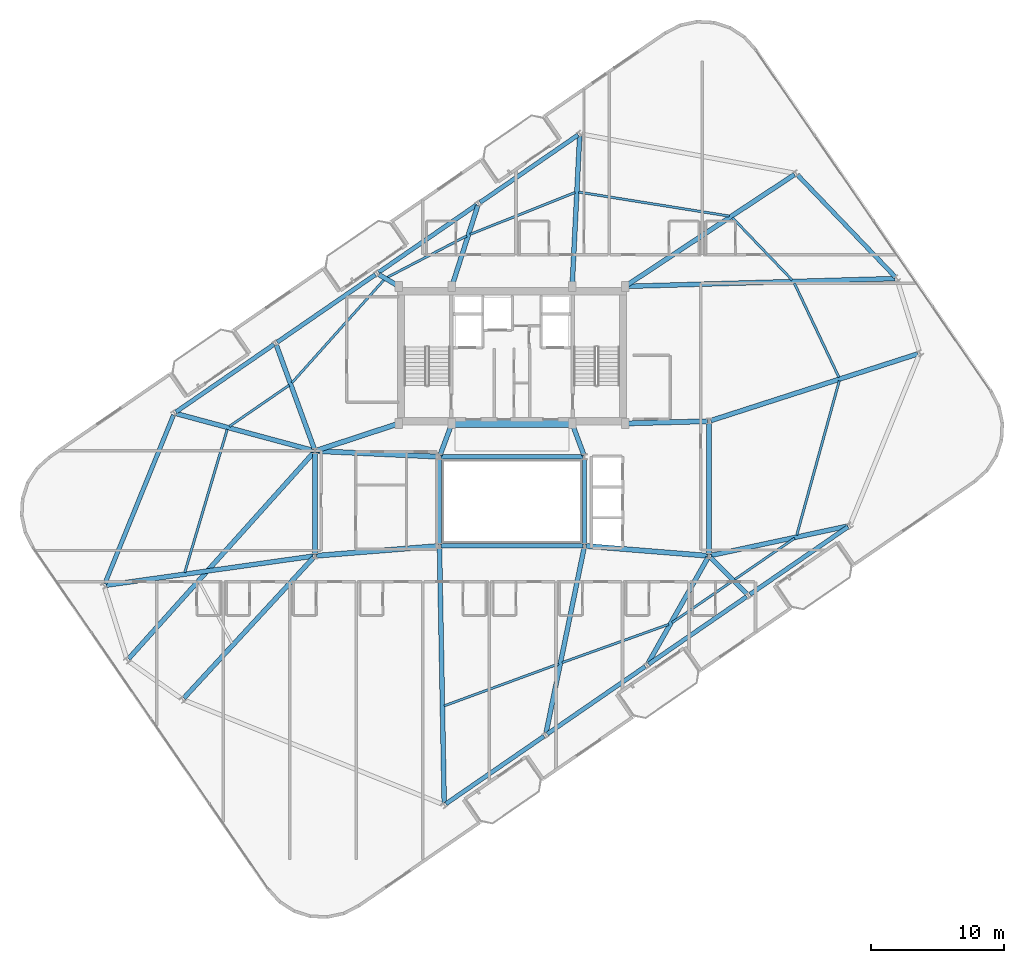
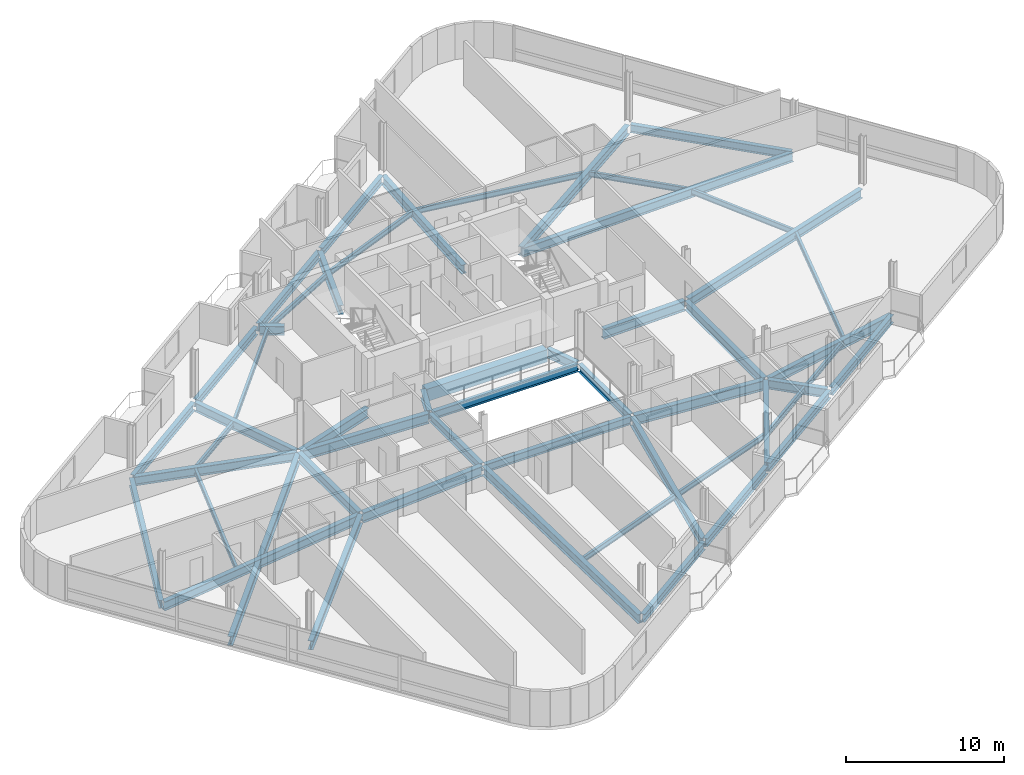
# One storey, part 7 of 22: 53 beams.
"""IFC4 building model written with IfcOpenShell, lengths in metres."""

from ifc_helpers import new_model, si_unit, direction, frame, origin, origin_2d, place, context, subcontext, project, spatial, rectangle, i_section, extrude, material, material_profile, profile_set, type_object, element, save


model = new_model("IFC4")

# Units and contexts
model_context = context("Model", 3, precision=1e-05, world=origin(), true_north=direction((0.0, 1.0)))
body_context = subcontext(model_context, "Body", "Model", "MODEL_VIEW")
ifc_project = project(units=[si_unit("LENGTHUNIT", "METRE"), si_unit("AREAUNIT", "SQUARE_METRE"), si_unit("VOLUMEUNIT", "CUBIC_METRE"), si_unit("PLANEANGLEUNIT", "RADIAN"), si_unit("MASSUNIT", "GRAM", prefix="KILO")], contexts=[model_context])

# Site, building, storey
site_placement = place(None, origin())
site = spatial("IfcSite", under=ifc_project, at=site_placement, CompositionType="ELEMENT")
building_placement = place(site_placement, origin())
building = spatial("IfcBuilding", under=site, at=building_placement, Name="Varnelok Gate Tower", CompositionType="ELEMENT")
storey_placement = place(building_placement, frame((0.0, 0.0, 280.39990234375)))
storey = spatial("IfcBuildingStorey", under=building, at=storey_placement, Name="L72", CompositionType="ELEMENT", Elevation=280.39990234375)

# Beams
ifc_material_1 = material(Name="Structural Steel ASTM A992 Grade 50", Category="steel")
ifc_material_profile_1 = material_profile(ifc_material_1, i_section(OverallWidth=0.180908203125, OverallDepth=0.4169921875, WebThickness=0.010986328125, FlangeThickness=0.018310546875, FilletRadius=0.013916015625, at=origin_2d()), Name="W16X57")
ifc_profile_set_1 = profile_set([ifc_material_profile_1], Name="Structural Steel ASTM A992 Grade 50")
beam_type_1 = type_object("IfcBeamType", Name="BM-JST-W16X57", PredefinedType="JOIST", material=ifc_profile_set_1)
beam_1_placement = place(storey_placement, frame((34.10302734375, 7.52734375, -0.45849609375), z_axis=(0.9387827002, 0.344509857342, 0.0), x_axis=(-0.344509857342, 0.9387827002, 0.0)))
element("IfcBeam", 1, at=beam_1_placement, inside=storey, type_object=beam_type_1, Name="L72 Sector Floor Joist 1", PredefinedType="JOIST", context=body_context, shape_type="SweptSolid", body=[
    extrude(i_section(OverallWidth=0.180908203125, OverallDepth=0.4169921875, WebThickness=0.010986328125, FlangeThickness=0.018310546875, FilletRadius=0.013916015625, at=origin_2d()), origin(), (0.0, 0.0, 1.0), 9.1630859375),
])
beam_2_placement = place(storey_placement, frame((42.96826171875, 10.779541015625, -0.45849609375), z_axis=(0.941287477376, 0.33760610915, 0.0), x_axis=(-0.33760610915, 0.941287477376, 0.0)))
element("IfcBeam", 2, at=beam_2_placement, inside=storey, type_object=beam_type_1, Name="L72 Sector Floor Joist 2", PredefinedType="JOIST", context=body_context, shape_type="SweptSolid", body=[
    extrude(i_section(OverallWidth=0.180908203125, OverallDepth=0.4169921875, WebThickness=0.010986328125, FlangeThickness=0.018310546875, FilletRadius=0.013916015625, at=origin_2d()), origin(), (0.0, 0.0, 1.0), 8.51220703125),
])
beam_3_placement = place(storey_placement, frame((51.227783203125, 13.780029296875, -0.45849609375), z_axis=(0.823533619697, 0.567267465336, 0.0), x_axis=(-0.567267465336, 0.823533619697, 0.0)))
element("IfcBeam", 3, at=beam_3_placement, inside=storey, type_object=beam_type_1, Name="L72 Sector Floor Joist 3", PredefinedType="JOIST", context=body_context, shape_type="SweptSolid", body=[
    extrude(i_section(OverallWidth=0.180908203125, OverallDepth=0.4169921875, WebThickness=0.010986328125, FlangeThickness=0.018310546875, FilletRadius=0.013916015625, at=origin_2d()), origin(), (0.0, 0.0, 1.0), 5.455078125),
])
beam_4_placement = place(storey_placement, frame((55.95068359375, 17.033447265625, -0.45849609375), z_axis=(0.823554527506, 0.567237111114, 0.0), x_axis=(-0.567237111114, 0.823554527506, 0.0)))
element("IfcBeam", 4, at=beam_4_placement, inside=storey, type_object=beam_type_1, Name="L72 Sector Floor Joist 4", PredefinedType="JOIST", context=body_context, shape_type="SweptSolid", body=[
    extrude(i_section(OverallWidth=0.180908203125, OverallDepth=0.4169921875, WebThickness=0.010986328125, FlangeThickness=0.018310546875, FilletRadius=0.013916015625, at=origin_2d()), origin(), (0.0, 0.0, 1.0), 5.454833984375),
])
beam_5_placement = place(storey_placement, frame((60.595703125, 20.34228515625, -0.45849609375), z_axis=(0.265541846213, 0.964099335084, 0.0), x_axis=(-0.964099335084, 0.265541846213, 0.0)))
element("IfcBeam", 5, at=beam_5_placement, inside=storey, type_object=beam_type_1, Name="L72 Sector Floor Joist 5", PredefinedType="JOIST", context=body_context, shape_type="SweptSolid", body=[
    extrude(i_section(OverallWidth=0.180908203125, OverallDepth=0.4169921875, WebThickness=0.010986328125, FlangeThickness=0.018310546875, FilletRadius=0.013916015625, at=origin_2d()), origin(), (0.0, 0.0, 1.0), 12.044189453125),
])
beam_6_placement = place(storey_placement, frame((63.771240234375, 32.215576171875, -0.45849609375), z_axis=(-0.428271278593, 0.903650215477, 0.0), x_axis=(-0.903650215477, -0.428271278593, 0.0)))
element("IfcBeam", 6, at=beam_6_placement, inside=storey, type_object=beam_type_1, Name="L72 Sector Floor Joist 6", PredefinedType="JOIST", context=body_context, shape_type="SweptSolid", body=[
    extrude(i_section(OverallWidth=0.180908203125, OverallDepth=0.4169921875, WebThickness=0.010986328125, FlangeThickness=0.018310546875, FilletRadius=0.013916015625, at=origin_2d()), origin(), (0.0, 0.0, 1.0), 7.830810546875),
])
beam_7_placement = place(storey_placement, frame((60.2607421875, 39.51953125, -0.45849609375), z_axis=(-0.691782116061, 0.722106296814, 0.0), x_axis=(-0.722106296814, -0.691782116061, 0.0)))
element("IfcBeam", 7, at=beam_7_placement, inside=storey, type_object=beam_type_1, Name="L72 Sector Floor Joist 7", PredefinedType="JOIST", context=body_context, shape_type="SweptSolid", body=[
    extrude(i_section(OverallWidth=0.180908203125, OverallDepth=0.4169921875, WebThickness=0.010986328125, FlangeThickness=0.018310546875, FilletRadius=0.013916015625, at=origin_2d()), origin(), (0.0, 0.0, 1.0), 6.4970703125),
])
beam_8_placement = place(storey_placement, frame((55.531005859375, 44.334228515625, -0.45849609375), z_axis=(-0.987523976276, 0.157468715245, 0.0), x_axis=(-0.157468715245, -0.987523976276, 0.0)))
element("IfcBeam", 8, at=beam_8_placement, inside=storey, type_object=beam_type_1, Name="L72 Sector Floor Joist 8", PredefinedType="JOIST", context=body_context, shape_type="SweptSolid", body=[
    extrude(i_section(OverallWidth=0.180908203125, OverallDepth=0.4169921875, WebThickness=0.010986328125, FlangeThickness=0.018310546875, FilletRadius=0.013916015625, at=origin_2d()), origin(), (0.0, 0.0, 1.0), 11.460693359375),
])
beam_9_placement = place(storey_placement, frame((43.945068359375, 46.10888671875, -0.45849609375), z_axis=(-0.928876146376, -0.370390475975, 0.0), x_axis=(0.370390475975, -0.928876146376, 0.0)))
element("IfcBeam", 9, at=beam_9_placement, inside=storey, type_object=beam_type_1, Name="L72 Sector Floor Joist 9", PredefinedType="JOIST", context=body_context, shape_type="SweptSolid", body=[
    extrude(i_section(OverallWidth=0.180908203125, OverallDepth=0.4169921875, WebThickness=0.010986328125, FlangeThickness=0.018310546875, FilletRadius=0.013916015625, at=origin_2d()), origin(), (0.0, 0.0, 1.0), 8.5029296875),
])
beam_10_placement = place(storey_placement, frame((35.792724609375, 42.843017578125, -0.45849609375), z_axis=(-0.886564217491, -0.462605542838, 0.0), x_axis=(0.462605542838, -0.886564217491, 0.0)))
element("IfcBeam", 10, at=beam_10_placement, inside=storey, type_object=beam_type_1, Name="L72 Sector Floor Joist 10", PredefinedType="JOIST", context=body_context, shape_type="SweptSolid", body=[
    extrude(i_section(OverallWidth=0.180908203125, OverallDepth=0.4169921875, WebThickness=0.010986328125, FlangeThickness=0.018310546875, FilletRadius=0.013916015625, at=origin_2d()), origin(), (0.0, 0.0, 1.0), 6.753173828125),
])
beam_11_placement = place(storey_placement, frame((29.588134765625, 39.550048828125, -0.45849609375), z_axis=(-0.666801039253, -0.7452357842, 0.0), x_axis=(0.7452357842, -0.666801039253, 0.0)))
element("IfcBeam", 11, at=beam_11_placement, inside=storey, type_object=beam_type_1, Name="L72 Sector Floor Joist 11", PredefinedType="JOIST", context=body_context, shape_type="SweptSolid", body=[
    extrude(i_section(OverallWidth=0.180908203125, OverallDepth=0.4169921875, WebThickness=0.010986328125, FlangeThickness=0.018310546875, FilletRadius=0.013916015625, at=origin_2d()), origin(), (0.0, 0.0, 1.0), 10.39306640625),
])
beam_12_placement = place(storey_placement, frame((22.44921875, 31.62109375, -0.45849609375), z_axis=(-0.823533619697, -0.567267465336, 0.0), x_axis=(0.567267465336, -0.823533619697, 0.0)))
element("IfcBeam", 12, at=beam_12_placement, inside=storey, type_object=beam_type_1, Name="L72 Sector Floor Joist 12", PredefinedType="JOIST", context=body_context, shape_type="SweptSolid", body=[
    extrude(i_section(OverallWidth=0.180908203125, OverallDepth=0.4169921875, WebThickness=0.010986328125, FlangeThickness=0.018310546875, FilletRadius=0.013916015625, at=origin_2d()), origin(), (0.0, 0.0, 1.0), 5.455078125),
])
beam_13_placement = place(storey_placement, frame((17.8017578125, 28.31298828125, -0.45849609375), z_axis=(-0.284441515869, -0.958693394183, 0.0), x_axis=(0.958693394183, -0.284441515869, 0.0)))
element("IfcBeam", 13, at=beam_13_placement, inside=storey, type_object=beam_type_1, Name="L72 Sector Floor Joist 13", PredefinedType="JOIST", context=body_context, shape_type="SweptSolid", body=[
    extrude(i_section(OverallWidth=0.180908203125, OverallDepth=0.4169921875, WebThickness=0.010986328125, FlangeThickness=0.018310546875, FilletRadius=0.013916015625, at=origin_2d()), origin(), (0.0, 0.0, 1.0), 11.225830078125),
])
ifc_material_2 = material(Name="Concrete C60/75", Category="concrete")
ifc_material_profile_2 = material_profile(ifc_material_2, rectangle(XDim=0.60009765625, YDim=0.949951171875, at=origin_2d()), Name="RC950X600")
ifc_profile_set_2 = profile_set([ifc_material_profile_2], Name="Concrete C60/75")
beam_type_2 = type_object("IfcBeamType", Name="BM-LNT-RC950", PredefinedType="LINTEL", material=ifc_profile_set_2)
beam_14_placement = place(storey_placement, frame((34.800048828125, 28.75, -0.724853515625), z_axis=(1.0, 0.0, 0.0), x_axis=(0.0, 1.0, 0.0)))
element("IfcBeam", 14, at=beam_14_placement, inside=storey, type_object=beam_type_2, Name="L72 Core-Atrium Spine Beam 7", PredefinedType="LINTEL", context=body_context, shape_type="SweptSolid", body=[
    extrude(rectangle(XDim=0.60009765625, YDim=0.949951171875, at=origin_2d()), origin(), (0.0, 0.0, 1.0), 8.800048828125),
])
ifc_material_profile_3 = material_profile(ifc_material_1, i_section(OverallWidth=0.35498046875, OverallDepth=0.696044921875, WebThickness=0.015380859375, FlangeThickness=0.02490234375, FilletRadius=0.02001953125, at=origin_2d()), Name="W27X146")
ifc_profile_set_3 = profile_set([ifc_material_profile_3], Name="Structural Steel ASTM A992 Grade 50")
beam_type_3 = type_object("IfcBeamType", Name="BM-PRI-W27X146", PredefinedType="BEAM", material=ifc_profile_set_3)
for number, where, z_axis, x_axis, name in (
    (15, (33.791748046875, 26.362548828125, -0.597900390625), (0.348719329408, 0.937227202602, 0.0), (-0.937227202602, 0.348719329408, 0.0), "L72 Core-Atrium Spine Beam 12"),
    (16, (44.608154296875, 26.362548828125, -0.597900390625), (-0.348719329408, 0.937227202602, 0.0), (-0.937227202602, -0.348719329408, 0.0), "L72 Core-Atrium Spine Beam 13"),
):
    element("IfcBeam", number, at=place(storey_placement, frame(where, z_axis=z_axis, x_axis=x_axis)), inside=storey, type_object=beam_type_3, Name=name, PredefinedType="BEAM", context=body_context, shape_type="SweptSolid", body=[
        extrude(i_section(OverallWidth=0.35498046875, OverallDepth=0.696044921875, WebThickness=0.015380859375, FlangeThickness=0.02490234375, FilletRadius=0.02001953125, at=origin_2d()), origin(), (0.0, 0.0, 1.0), 2.42724609375),
    ])
beam_15_placement = place(storey_placement, frame((24.39990234375, 18.919921875, -0.597900390625), z_axis=(0.0, 1.0, 0.0), x_axis=(-1.0, 0.0, 0.0)))
element("IfcBeam", 17, at=beam_15_placement, inside=storey, type_object=beam_type_3, Name="L72 Core-Atrium Spine Beam 16", PredefinedType="BEAM", context=body_context, shape_type="SweptSolid", body=[
    extrude(i_section(OverallWidth=0.35498046875, OverallDepth=0.696044921875, WebThickness=0.015380859375, FlangeThickness=0.02490234375, FilletRadius=0.02001953125, at=origin_2d()), origin(), (0.0, 0.0, 1.0), 7.64013671875),
])
beam_16_placement = place(storey_placement, frame((54.0, 18.919921875, -0.597900390625), z_axis=(0.0, 1.0, 0.0), x_axis=(-1.0, 0.0, 0.0)))
element("IfcBeam", 18, at=beam_16_placement, inside=storey, type_object=beam_type_3, Name="L72 Core-Atrium Spine Beam 20", PredefinedType="BEAM", context=body_context, shape_type="SweptSolid", body=[
    extrude(i_section(OverallWidth=0.35498046875, OverallDepth=0.696044921875, WebThickness=0.015380859375, FlangeThickness=0.02490234375, FilletRadius=0.02001953125, at=origin_2d()), origin(), (0.0, 0.0, 1.0), 9.880126953125),
])
beam_17_placement = place(storey_placement, frame((33.752685546875, 19.39990234375, -0.597900390625), z_axis=(0.018349623406, -0.999831631486, 0.0), x_axis=(0.999831631486, 0.018349623406, 0.0)))
element("IfcBeam", 19, at=beam_17_placement, inside=storey, type_object=beam_type_3, Name="L72 Radial Floor Girder 1", PredefinedType="BEAM", context=body_context, shape_type="SweptSolid", body=[
    extrude(i_section(OverallWidth=0.35498046875, OverallDepth=0.696044921875, WebThickness=0.015380859375, FlangeThickness=0.02490234375, FilletRadius=0.02001953125, at=origin_2d()), origin(), (0.0, 0.0, 1.0), 19.17236328125),
])
beam_18_placement = place(storey_placement, frame((44.619873046875, 19.403076171875, -0.597900390625), z_axis=(-0.201445575576, -0.979499709077, 0.0), x_axis=(0.979499709077, -0.201445575576, 0.0)))
element("IfcBeam", 20, at=beam_18_placement, inside=storey, type_object=beam_type_3, Name="L72 Radial Floor Girder 2", PredefinedType="BEAM", context=body_context, shape_type="SweptSolid", body=[
    extrude(i_section(OverallWidth=0.35498046875, OverallDepth=0.696044921875, WebThickness=0.015380859375, FlangeThickness=0.02490234375, FilletRadius=0.02001953125, at=origin_2d()), origin(), (0.0, 0.0, 1.0), 14.2197265625),
])
beam_19_placement = place(storey_placement, frame((53.926025390625, 18.66943359375, -0.597900390625), z_axis=(-0.49272782428, -0.870183481331, 0.0), x_axis=(0.870183481331, -0.49272782428, 0.0)))
element("IfcBeam", 21, at=beam_19_placement, inside=storey, type_object=beam_type_3, Name="L72 Radial Floor Girder 3", PredefinedType="BEAM", context=body_context, shape_type="SweptSolid", body=[
    extrude(i_section(OverallWidth=0.35498046875, OverallDepth=0.696044921875, WebThickness=0.015380859375, FlangeThickness=0.02490234375, FilletRadius=0.02001953125, at=origin_2d()), origin(), (0.0, 0.0, 1.0), 9.151611328125),
])
beam_20_placement = place(storey_placement, frame((54.105712890625, 18.693603515625, -0.597900390625), z_axis=(0.705068615511, -0.709139088911, 0.0), x_axis=(0.709139088911, 0.705068615511, 0.0)))
element("IfcBeam", 22, at=beam_20_placement, inside=storey, type_object=beam_type_3, Name="L72 Radial Floor Girder 4", PredefinedType="BEAM", context=body_context, shape_type="SweptSolid", body=[
    extrude(i_section(OverallWidth=0.35498046875, OverallDepth=0.696044921875, WebThickness=0.015380859375, FlangeThickness=0.02490234375, FilletRadius=0.02001953125, at=origin_2d()), origin(), (0.0, 0.0, 1.0), 3.898681640625),
])
beam_21_placement = place(storey_placement, frame((54.146728515625, 18.83154296875, -0.597900390625), z_axis=(0.977750075893, 0.209773184872, 0.0), x_axis=(-0.209773184872, 0.977750075893, 0.0)))
element("IfcBeam", 23, at=beam_21_placement, inside=storey, type_object=beam_type_3, Name="L72 Radial Floor Girder 5", PredefinedType="BEAM", context=body_context, shape_type="SweptSolid", body=[
    extrude(i_section(OverallWidth=0.35498046875, OverallDepth=0.696044921875, WebThickness=0.015380859375, FlangeThickness=0.02490234375, FilletRadius=0.02001953125, at=origin_2d()), origin(), (0.0, 0.0, 1.0), 10.518798828125),
])
beam_22_placement = place(storey_placement, frame((54.142822265625, 28.966064453125, -0.597900390625), z_axis=(0.95177048337, 0.306810930356, 0.0), x_axis=(-0.306810930356, 0.95177048337, 0.0)))
element("IfcBeam", 24, at=beam_22_placement, inside=storey, type_object=beam_type_3, Name="L72 Radial Floor Girder 6", PredefinedType="BEAM", context=body_context, shape_type="SweptSolid", body=[
    extrude(i_section(OverallWidth=0.35498046875, OverallDepth=0.696044921875, WebThickness=0.015380859375, FlangeThickness=0.02490234375, FilletRadius=0.02001953125, at=origin_2d()), origin(), (0.0, 0.0, 1.0), 16.3603515625),
])
beam_23_placement = place(storey_placement, frame((47.849853515625, 39.054443359375, -0.597900390625), z_axis=(0.999576755953, 0.029091389778, 0.0), x_axis=(-0.029091389778, 0.999576755953, 0.0)))
element("IfcBeam", 25, at=beam_23_placement, inside=storey, type_object=beam_type_3, Name="L72 Radial Floor Girder 7", PredefinedType="BEAM", context=body_context, shape_type="SweptSolid", body=[
    extrude(i_section(OverallWidth=0.35498046875, OverallDepth=0.696044921875, WebThickness=0.015380859375, FlangeThickness=0.02490234375, FilletRadius=0.02001953125, at=origin_2d()), origin(), (0.0, 0.0, 1.0), 20.12451171875),
])
beam_24_placement = place(storey_placement, frame((47.8251953125, 39.1328125, -0.597900390625), z_axis=(0.834499250809, 0.551009074697, 0.0), x_axis=(-0.551009074697, 0.834499250809, 0.0)))
element("IfcBeam", 26, at=beam_24_placement, inside=storey, type_object=beam_type_3, Name="L72 Radial Floor Girder 8", PredefinedType="BEAM", context=body_context, shape_type="SweptSolid", body=[
    extrude(i_section(OverallWidth=0.35498046875, OverallDepth=0.696044921875, WebThickness=0.015380859375, FlangeThickness=0.02490234375, FilletRadius=0.02001953125, at=origin_2d()), origin(), (0.0, 0.0, 1.0), 15.102783203125),
])
beam_25_placement = place(storey_placement, frame((43.7275390625, 39.19970703125, -0.597900390625), z_axis=(0.049860312634, 0.998756201094, 0.0), x_axis=(-0.998756201094, 0.049860312634, 0.0)))
element("IfcBeam", 27, at=beam_25_placement, inside=storey, type_object=beam_type_3, Name="L72 Radial Floor Girder 9", PredefinedType="BEAM", context=body_context, shape_type="SweptSolid", body=[
    extrude(i_section(OverallWidth=0.35498046875, OverallDepth=0.696044921875, WebThickness=0.015380859375, FlangeThickness=0.02490234375, FilletRadius=0.02001953125, at=origin_2d()), origin(), (0.0, 0.0, 1.0), 11.18359375),
])
beam_26_placement = place(storey_placement, frame((34.725830078125, 39.19287109375, -0.597900390625), z_axis=(0.305315663047, 0.952251198948, 0.0), x_axis=(-0.952251198948, 0.305315663047, 0.0)))
element("IfcBeam", 28, at=beam_26_placement, inside=storey, type_object=beam_type_3, Name="L72 Radial Floor Girder 10", PredefinedType="BEAM", context=body_context, shape_type="SweptSolid", body=[
    extrude(i_section(OverallWidth=0.35498046875, OverallDepth=0.696044921875, WebThickness=0.015380859375, FlangeThickness=0.02490234375, FilletRadius=0.02001953125, at=origin_2d()), origin(), (0.0, 0.0, 1.0), 6.23388671875),
])
beam_27_placement = place(storey_placement, frame((30.571044921875, 39.12646484375, -0.597900390625), z_axis=(-0.859971198292, 0.510342569367, 0.0), x_axis=(-0.510342569367, -0.859971198292, 0.0)))
element("IfcBeam", 29, at=beam_27_placement, inside=storey, type_object=beam_type_3, Name="L72 Radial Floor Girder 11", PredefinedType="BEAM", context=body_context, shape_type="SweptSolid", body=[
    extrude(i_section(OverallWidth=0.35498046875, OverallDepth=0.696044921875, WebThickness=0.015380859375, FlangeThickness=0.02490234375, FilletRadius=0.02001953125, at=origin_2d()), origin(), (0.0, 0.0, 1.0), 1.6103515625),
])
beam_28_placement = place(storey_placement, frame((24.348388671875, 26.82080078125, -0.597900390625), z_axis=(-0.343337291508, 0.939212172121, 0.0), x_axis=(-0.939212172121, -0.343337291508, 0.0)))
element("IfcBeam", 30, at=beam_28_placement, inside=storey, type_object=beam_type_3, Name="L72 Radial Floor Girder 12", PredefinedType="BEAM", context=body_context, shape_type="SweptSolid", body=[
    extrude(i_section(OverallWidth=0.35498046875, OverallDepth=0.696044921875, WebThickness=0.015380859375, FlangeThickness=0.02490234375, FilletRadius=0.02001953125, at=origin_2d()), origin(), (0.0, 0.0, 1.0), 8.32177734375),
])
beam_29_placement = place(storey_placement, frame((24.255126953125, 26.718994140625, -0.597900390625), z_axis=(-0.965561980059, 0.260173139782, 0.0), x_axis=(-0.260173139782, -0.965561980059, 0.0)))
element("IfcBeam", 31, at=beam_29_placement, inside=storey, type_object=beam_type_3, Name="L72 Radial Floor Girder 13", PredefinedType="BEAM", context=body_context, shape_type="SweptSolid", body=[
    extrude(i_section(OverallWidth=0.35498046875, OverallDepth=0.696044921875, WebThickness=0.015380859375, FlangeThickness=0.02490234375, FilletRadius=0.02001953125, at=origin_2d()), origin(), (0.0, 0.0, 1.0), 10.6552734375),
])
beam_30_placement = place(storey_placement, frame((24.25146484375, 18.779052734375, -0.597900390625), z_axis=(-0.990242546669, -0.139354579277, 0.0), x_axis=(0.139354579277, -0.990242546669, 0.0)))
element("IfcBeam", 32, at=beam_30_placement, inside=storey, type_object=beam_type_3, Name="L72 Radial Floor Girder 14", PredefinedType="BEAM", context=body_context, shape_type="SweptSolid", body=[
    extrude(i_section(OverallWidth=0.35498046875, OverallDepth=0.696044921875, WebThickness=0.015380859375, FlangeThickness=0.02490234375, FilletRadius=0.02001953125, at=origin_2d()), origin(), (0.0, 0.0, 1.0), 15.713134765625),
])
beam_31_placement = place(storey_placement, frame((24.2998046875, 26.568359375, -0.597900390625), z_axis=(-0.668020095308, -0.744143233702, 0.0), x_axis=(0.744143233702, -0.668020095308, 0.0)))
element("IfcBeam", 33, at=beam_31_placement, inside=storey, type_object=beam_type_3, Name="L72 Radial Floor Girder 15", PredefinedType="BEAM", context=body_context, shape_type="SweptSolid", body=[
    extrude(i_section(OverallWidth=0.35498046875, OverallDepth=0.696044921875, WebThickness=0.015380859375, FlangeThickness=0.02490234375, FilletRadius=0.02001953125, at=origin_2d()), origin(), (0.0, 0.0, 1.0), 20.83056640625),
])
beam_32_placement = place(storey_placement, frame((24.29833984375, 18.689697265625, -0.597900390625), z_axis=(-0.677969926739, -0.73508963973, 0.0), x_axis=(0.73508963973, -0.677969926739, 0.0)))
element("IfcBeam", 34, at=beam_32_placement, inside=storey, type_object=beam_type_3, Name="L72 Radial Floor Girder 16", PredefinedType="BEAM", context=body_context, shape_type="SweptSolid", body=[
    extrude(i_section(OverallWidth=0.35498046875, OverallDepth=0.696044921875, WebThickness=0.015380859375, FlangeThickness=0.02490234375, FilletRadius=0.02001953125, at=origin_2d()), origin(), (0.0, 0.0, 1.0), 14.386962890625),
])
ifc_material_profile_4 = material_profile(ifc_material_1, i_section(OverallWidth=0.381103515625, OverallDepth=0.77294921875, WebThickness=0.0166015625, FlangeThickness=0.027099609375, FilletRadius=0.02197265625, at=origin_2d()), Name="W30X173")
ifc_profile_set_4 = profile_set([ifc_material_profile_4], Name="Structural Steel ASTM A992 Grade 50")
beam_type_4 = type_object("IfcBeamType", Name="BM-PRI-W30X173", PredefinedType="BEAM", material=ifc_profile_set_4)
beam_33_placement = place(storey_placement, frame((24.51953125, 18.8095703125, -0.636474609375), z_axis=(0.996799206292, 0.07994587128, 0.0), x_axis=(-0.07994587128, 0.996799206292, 0.0)))
element("IfcBeam", 35, at=beam_33_placement, inside=storey, type_object=beam_type_4, Name="L72 Core-Atrium Spine Beam 14", PredefinedType="BEAM", context=body_context, shape_type="SweptSolid", body=[
    extrude(i_section(OverallWidth=0.381103515625, OverallDepth=0.77294921875, WebThickness=0.0166015625, FlangeThickness=0.027099609375, FilletRadius=0.02197265625, at=origin_2d()), origin(), (0.0, 0.0, 1.0), 9.14013671875),
])
beam_34_placement = place(storey_placement, frame((24.52001953125, 26.674560546875, -0.636474609375), z_axis=(0.99894427814, -0.045938319209, 0.0), x_axis=(0.045938319209, 0.99894427814, 0.0)))
element("IfcBeam", 36, at=beam_34_placement, inside=storey, type_object=beam_type_4, Name="L72 Core-Atrium Spine Beam 15", PredefinedType="BEAM", context=body_context, shape_type="SweptSolid", body=[
    extrude(i_section(OverallWidth=0.381103515625, OverallDepth=0.77294921875, WebThickness=0.0166015625, FlangeThickness=0.027099609375, FilletRadius=0.02197265625, at=origin_2d()), origin(), (0.0, 0.0, 1.0), 9.11962890625),
])
beam_35_placement = place(storey_placement, frame((24.513916015625, 26.717529296875, -0.636474609375), z_axis=(0.950041943788, 0.312122259768, 0.0), x_axis=(-0.312122259768, 0.950041943788, 0.0)))
element("IfcBeam", 37, at=beam_35_placement, inside=storey, type_object=beam_type_4, Name="L72 Core-Atrium Spine Beam 17", PredefinedType="BEAM", context=body_context, shape_type="SweptSolid", body=[
    extrude(i_section(OverallWidth=0.381103515625, OverallDepth=0.77294921875, WebThickness=0.0166015625, FlangeThickness=0.027099609375, FilletRadius=0.02197265625, at=origin_2d()), origin(), (0.0, 0.0, 1.0), 6.391357421875),
])
beam_36_placement = place(storey_placement, frame((44.76953125, 19.540283203125, -0.636474609375), z_axis=(0.996799206292, -0.07994587128, 0.0), x_axis=(0.07994587128, 0.996799206292, 0.0)))
element("IfcBeam", 38, at=beam_36_placement, inside=storey, type_object=beam_type_4, Name="L72 Core-Atrium Spine Beam 18", PredefinedType="BEAM", context=body_context, shape_type="SweptSolid", body=[
    extrude(i_section(OverallWidth=0.381103515625, OverallDepth=0.77294921875, WebThickness=0.0166015625, FlangeThickness=0.027099609375, FilletRadius=0.02197265625, at=origin_2d()), origin(), (0.0, 0.0, 1.0), 9.14013671875),
])
beam_37_placement = place(storey_placement, frame((47.820068359375, 28.753173828125, -0.636474609375), z_axis=(0.999635880609, 0.026983443053, 0.0), x_axis=(-0.026983443053, 0.999635880609, 0.0)))
element("IfcBeam", 39, at=beam_37_placement, inside=storey, type_object=beam_type_4, Name="L72 Core-Atrium Spine Beam 19", PredefinedType="BEAM", context=body_context, shape_type="SweptSolid", body=[
    extrude(i_section(OverallWidth=0.381103515625, OverallDepth=0.77294921875, WebThickness=0.0166015625, FlangeThickness=0.027099609375, FilletRadius=0.02197265625, at=origin_2d()), origin(), (0.0, 0.0, 1.0), 6.06201171875),
])
ifc_material_profile_5 = material_profile(ifc_material_1, i_section(OverallWidth=0.323974609375, OverallDepth=0.611083984375, WebThickness=0.0126953125, FlangeThickness=0.01904296875, FilletRadius=0.01806640625, at=origin_2d()), Name="W24X104")
ifc_profile_set_5 = profile_set([ifc_material_profile_5], Name="Structural Steel ASTM A992 Grade 50")
beam_type_5 = type_object("IfcBeamType", Name="BM-SPN-W24X104", PredefinedType="SPANDREL", material=ifc_profile_set_5)
for number, where, z_axis, x_axis, name in (
    (40, (33.8701171875, 19.550048828125, -0.555419921875), (1.0, 0.0, 0.0), (0.0, 1.0, 0.0), "L72 Core-Atrium Spine Beam 8"),
    (41, (33.8701171875, 26.25, -0.555419921875), (1.0, 0.0, 0.0), (0.0, 1.0, 0.0), "L72 Core-Atrium Spine Beam 9"),
):
    element("IfcBeam", number, at=place(storey_placement, frame(where, z_axis=z_axis, x_axis=x_axis)), inside=storey, type_object=beam_type_5, Name=name, PredefinedType="SPANDREL", context=body_context, shape_type="SweptSolid", body=[
        extrude(i_section(OverallWidth=0.323974609375, OverallDepth=0.611083984375, WebThickness=0.0126953125, FlangeThickness=0.01904296875, FilletRadius=0.01806640625, at=origin_2d()), origin(), (0.0, 0.0, 1.0), 10.659912109375),
    ])
for number, where, z_axis, x_axis, name in (
    (42, (33.75, 19.669921875, -0.555419921875), (0.0, 1.0, 0.0), (-1.0, 0.0, 0.0), "L72 Core-Atrium Spine Beam 10"),
    (43, (44.64990234375, 19.669921875, -0.555419921875), (0.0, 1.0, 0.0), (-1.0, 0.0, 0.0), "L72 Core-Atrium Spine Beam 11"),
):
    element("IfcBeam", number, at=place(storey_placement, frame(where, z_axis=z_axis, x_axis=x_axis)), inside=storey, type_object=beam_type_5, Name=name, PredefinedType="SPANDREL", context=body_context, shape_type="SweptSolid", body=[
        extrude(i_section(OverallWidth=0.323974609375, OverallDepth=0.611083984375, WebThickness=0.0126953125, FlangeThickness=0.01904296875, FilletRadius=0.01806640625, at=origin_2d()), origin(), (0.0, 0.0, 1.0), 6.4599609375),
    ])
for number, where, z_axis, x_axis, name in (
    (44, (34.23095703125, 0.166015625, -0.555419921875), (0.823540167677, 0.567257959153, 0.0), (-0.567257959153, 0.823540167677, 0.0), "L72 Perimeter Spandrel Beam 1"),
    (45, (41.8486328125, 5.4130859375, -0.555419921875), (0.823540167677, 0.567257959153, 0.0), (-0.567257959153, 0.823540167677, 0.0), "L72 Perimeter Spandrel Beam 2"),
    (46, (49.46630859375, 10.660400390625, -0.555419921875), (0.823540167677, 0.567257959153, 0.0), (-0.567257959153, 0.823540167677, 0.0), "L72 Perimeter Spandrel Beam 3"),
    (47, (57.083984375, 15.90771484375, -0.555419921875), (0.823540167677, 0.567257959153, 0.0), (-0.567257959153, 0.823540167677, 0.0), "L72 Perimeter Spandrel Beam 4"),
):
    element("IfcBeam", number, at=place(storey_placement, frame(where, z_axis=z_axis, x_axis=x_axis)), inside=storey, type_object=beam_type_5, Name=name, PredefinedType="SPANDREL", context=body_context, shape_type="SweptSolid", body=[
        extrude(i_section(OverallWidth=0.323974609375, OverallDepth=0.611083984375, WebThickness=0.0126953125, FlangeThickness=0.01904296875, FilletRadius=0.01806640625, at=origin_2d()), origin(), (0.0, 0.0, 1.0), 8.949951171875),
    ])
beam_38_placement = place(storey_placement, frame((68.01171875, 39.75244140625, -0.555419921875), z_axis=(-0.691775667186, 0.722112474819, 0.0), x_axis=(-0.722112474819, -0.691775667186, 0.0)))
element("IfcBeam", 48, at=beam_38_placement, inside=storey, type_object=beam_type_5, Name="L72 Perimeter Spandrel Beam 7", PredefinedType="SPANDREL", context=body_context, shape_type="SweptSolid", body=[
    extrude(i_section(OverallWidth=0.323974609375, OverallDepth=0.611083984375, WebThickness=0.0126953125, FlangeThickness=0.01904296875, FilletRadius=0.01806640625, at=origin_2d()), origin(), (0.0, 0.0, 1.0), 10.630859375),
])
for number, where, z_axis, x_axis, name in (
    (49, (44.169189453125, 50.43408203125, -0.555419921875), (-0.823548945124, -0.567245215921, 0.0), (0.567245215921, -0.823548945124, 0.0), "L72 Perimeter Spandrel Beam 9"),
    (50, (36.551513671875, 45.18701171875, -0.555419921875), (-0.823536202099, -0.567263716301, 0.0), (0.567263716301, -0.823536202099, 0.0), "L72 Perimeter Spandrel Beam 10"),
):
    element("IfcBeam", number, at=place(storey_placement, frame(where, z_axis=z_axis, x_axis=x_axis)), inside=storey, type_object=beam_type_5, Name=name, PredefinedType="SPANDREL", context=body_context, shape_type="SweptSolid", body=[
        extrude(i_section(OverallWidth=0.323974609375, OverallDepth=0.611083984375, WebThickness=0.0126953125, FlangeThickness=0.01904296875, FilletRadius=0.01806640625, at=origin_2d()), origin(), (0.0, 0.0, 1.0), 8.9501953125),
    ])
beam_39_placement = place(storey_placement, frame((28.93359375, 39.939697265625, -0.555419921875), z_axis=(-0.823527424215, -0.567276459555, 0.0), x_axis=(0.567276459555, -0.823527424215, 0.0)))
element("IfcBeam", 51, at=beam_39_placement, inside=storey, type_object=beam_type_5, Name="L72 Perimeter Spandrel Beam 11", PredefinedType="SPANDREL", context=body_context, shape_type="SweptSolid", body=[
    extrude(i_section(OverallWidth=0.323974609375, OverallDepth=0.611083984375, WebThickness=0.0126953125, FlangeThickness=0.01904296875, FilletRadius=0.01806640625, at=origin_2d()), origin(), (0.0, 0.0, 1.0), 8.949951171875),
])
beam_40_placement = place(storey_placement, frame((21.316162109375, 34.6923828125, -0.555419921875), z_axis=(-0.823548945124, -0.567245215921, 0.0), x_axis=(0.567245215921, -0.823548945124, 0.0)))
element("IfcBeam", 52, at=beam_40_placement, inside=storey, type_object=beam_type_5, Name="L72 Perimeter Spandrel Beam 12", PredefinedType="SPANDREL", context=body_context, shape_type="SweptSolid", body=[
    extrude(i_section(OverallWidth=0.323974609375, OverallDepth=0.611083984375, WebThickness=0.0126953125, FlangeThickness=0.01904296875, FilletRadius=0.01806640625, at=origin_2d()), origin(), (0.0, 0.0, 1.0), 8.9501953125),
])
beam_41_placement = place(storey_placement, frame((13.765380859375, 29.391357421875, -0.555419921875), z_axis=(-0.377174006677, -0.926142412746, 0.0), x_axis=(0.926142412746, -0.377174006677, 0.0)))
element("IfcBeam", 53, at=beam_41_placement, inside=storey, type_object=beam_type_5, Name="L72 Perimeter Spandrel Beam 13", PredefinedType="SPANDREL", context=body_context, shape_type="SweptSolid", body=[
    extrude(i_section(OverallWidth=0.323974609375, OverallDepth=0.611083984375, WebThickness=0.0126953125, FlangeThickness=0.01904296875, FilletRadius=0.01806640625, at=origin_2d()), origin(), (0.0, 0.0, 1.0), 13.6953125),
])

save(model, "model.ifc")
